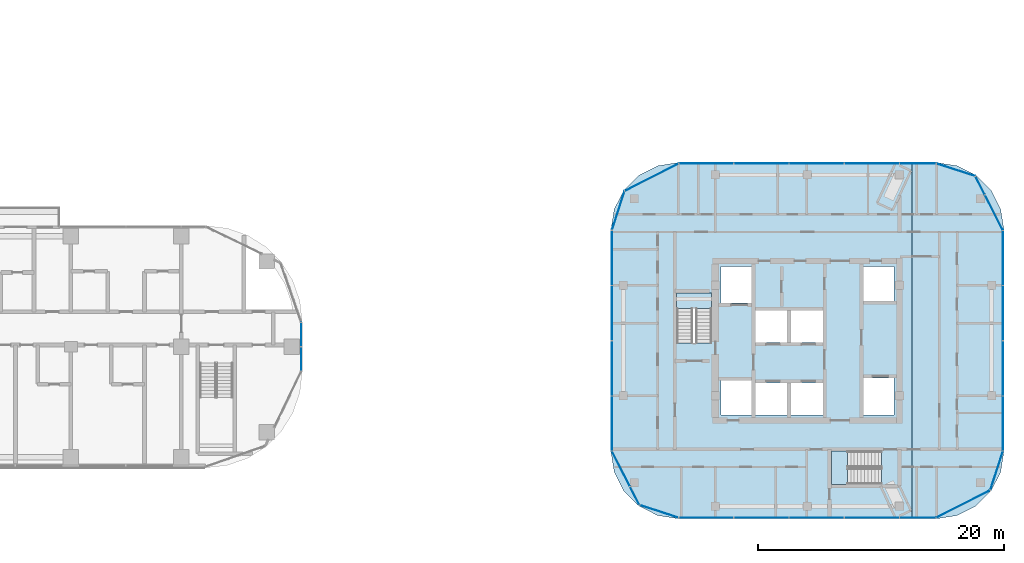
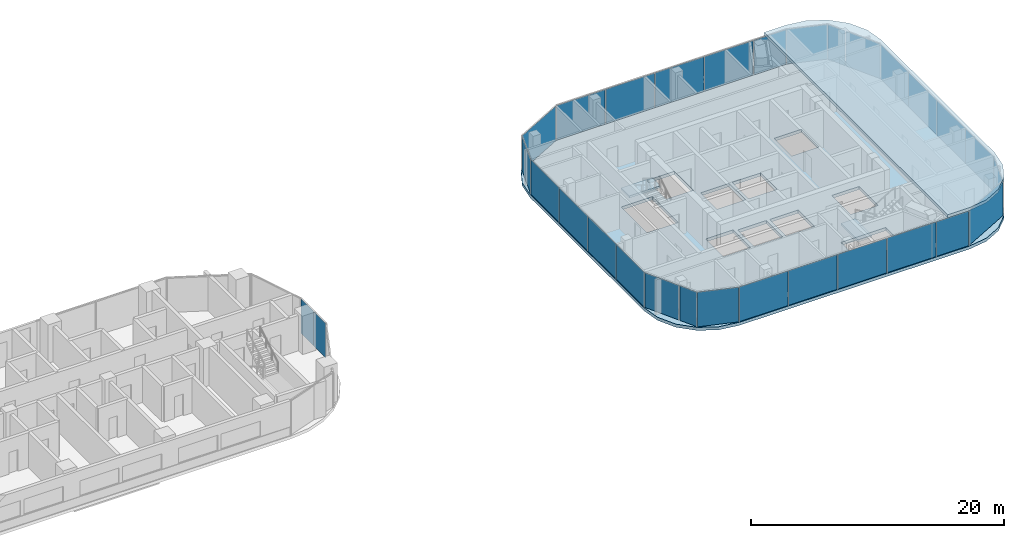
# One storey, part 17 of 35: 30 plates, 4 slabs, 13 elements without a shape of their own.
"""IFC4 building model written with IfcOpenShell, lengths in metres."""

from ifc_helpers import new_model, si_unit, direction, frame, origin, origin_2d, place, context, subcontext, project, spatial, polyline, rectangle, outline, extrude, material, layer, layer_set, type_object, element, aggregate, save


model = new_model("IFC4")

# Units and contexts
model_context = context("Model", 3, precision=1e-05, world=origin(), true_north=direction((0.0, 1.0)))
body_context = subcontext(model_context, "Body", "Model", "MODEL_VIEW")
ifc_project = project(units=[si_unit("LENGTHUNIT", "METRE"), si_unit("AREAUNIT", "SQUARE_METRE"), si_unit("VOLUMEUNIT", "CUBIC_METRE"), si_unit("PLANEANGLEUNIT", "RADIAN"), si_unit("MASSUNIT", "GRAM", prefix="KILO")], contexts=[model_context])

# Site, building, storey
site_placement = place(None, origin())
site = spatial("IfcSite", under=ifc_project, at=site_placement, CompositionType="ELEMENT")
building_placement = place(site_placement, origin())
building = spatial("IfcBuilding", under=site, at=building_placement, Name="Ogive Portal Towers", CompositionType="ELEMENT")
storey_placement = place(building_placement, frame((0.0, 0.0, 90.800048828125)))
storey = spatial("IfcBuildingStorey", under=building, at=storey_placement, Name="L21", CompositionType="ELEMENT", Elevation=90.800048828125)

# Curtain wall, plates
ifc_material_1 = material(Name="Glass, clear low-iron insulated glazing", Category="glass")
curtain_wall_type_1 = type_object("IfcCurtainWallType", Name="CW FRONT RIBBON 4500", PredefinedType="NOTDEFINED", material=ifc_material_1)
curtain_wall_1_placement = place(storey_placement, origin())
curtain_wall_1 = element("IfcCurtainWall", 1, at=curtain_wall_1_placement, inside=storey, type_object=curtain_wall_type_1, Name="A:L21:f08:cw0", PredefinedType="NOTDEFINED")
ifc_layer_1 = layer(ifc_material_1, 0.028076171875)
ifc_layer_set_1 = layer_set([ifc_layer_1], Name="CW PANEL IGU 28")
plate_type = type_object("IfcPlateType", Name="CW PANEL IGU 28", PredefinedType="CURTAIN_PANEL", material=ifc_layer_set_1)
plate_1_placement = place(storey_placement, frame((95.27490234375, 29.509033203125, 0.0), z_axis=(0.0, 0.0, 1.0), x_axis=(0.0, 1.0, 0.0)))
plate_1 = element("IfcPlate", 2, at=plate_1_placement, type_object=plate_type, Name="panel", PredefinedType="CURTAIN_PANEL", context=body_context, shape_type="SweptSolid", body=[
    extrude(rectangle(XDim=1.921630859375, YDim=0.028076171875, at=origin_2d()), origin(), (0.0, 0.0, 1.0), 3.340087890625),
])
plate_2_placement = place(storey_placement, frame((95.27490234375, 31.4931640625, 0.0), z_axis=(0.0, 0.0, 1.0), x_axis=(0.0, 1.0, 0.0)))
plate_2 = element("IfcPlate", 3, at=plate_2_placement, type_object=plate_type, Name="panel", PredefinedType="CURTAIN_PANEL", context=body_context, shape_type="SweptSolid", body=[
    extrude(rectangle(XDim=1.926513671875, YDim=0.028076171875, at=origin_2d()), origin(), (0.0, 0.0, 1.0), 3.340087890625),
])
aggregate(curtain_wall_1, [plate_1, plate_2])

curtain_wall_type_2 = type_object("IfcCurtainWallType", Name="CW RESIDENCES RIBBON", PredefinedType="NOTDEFINED", material=ifc_material_1)
curtain_wall_2_placement = place(storey_placement, origin())
curtain_wall_2 = element("IfcCurtainWall", 4, at=curtain_wall_2_placement, inside=storey, type_object=curtain_wall_type_2, Name="B:L21:f02:cw0", PredefinedType="NOTDEFINED")
plate_3_placement = place(storey_placement, frame((128.25634765625, 16.570068359375, 0.0), z_axis=(0.0, 0.0, 1.0), x_axis=(1.0, 0.0, 0.0)))
plate_3 = element("IfcPlate", 5, at=plate_3_placement, type_object=plate_type, Name="panel", PredefinedType="CURTAIN_PANEL", context=body_context, shape_type="SweptSolid", body=[
    extrude(rectangle(XDim=4.42724609375, YDim=0.028076171875, at=origin_2d()), origin(), (0.0, 0.0, 1.0), 3.340087890625),
])
plate_4_placement = place(storey_placement, frame((132.75, 16.570068359375, 0.0), z_axis=(0.0, 0.0, 1.0), x_axis=(1.0, 0.0, 0.0)))
plate_4 = element("IfcPlate", 6, at=plate_4_placement, type_object=plate_type, Name="panel", PredefinedType="CURTAIN_PANEL", context=body_context, shape_type="SweptSolid", body=[
    extrude(rectangle(XDim=4.43994140625, YDim=0.028076171875, at=origin_2d()), origin(), (0.0, 0.0, 1.0), 3.340087890625),
])
plate_5_placement = place(storey_placement, frame((137.25, 16.570068359375, 0.0), z_axis=(0.0, 0.0, 1.0), x_axis=(1.0, 0.0, 0.0)))
plate_5 = element("IfcPlate", 7, at=plate_5_placement, type_object=plate_type, Name="panel", PredefinedType="CURTAIN_PANEL", context=body_context, shape_type="SweptSolid", body=[
    extrude(rectangle(XDim=4.43994140625, YDim=0.028076171875, at=origin_2d()), origin(), (0.0, 0.0, 1.0), 3.340087890625),
])
plate_6_placement = place(storey_placement, frame((141.75, 16.570068359375, 0.0), z_axis=(0.0, 0.0, 1.0), x_axis=(1.0, 0.0, 0.0)))
plate_6 = element("IfcPlate", 8, at=plate_6_placement, type_object=plate_type, Name="panel", PredefinedType="CURTAIN_PANEL", context=body_context, shape_type="SweptSolid", body=[
    extrude(rectangle(XDim=4.43994140625, YDim=0.028076171875, at=origin_2d()), origin(), (0.0, 0.0, 1.0), 3.340087890625),
])
plate_7_placement = place(storey_placement, frame((145.490478515625, 16.570068359375, 0.0), z_axis=(0.0, 0.0, 1.0), x_axis=(1.0, 0.0, 0.0)))
plate_7 = element("IfcPlate", 9, at=plate_7_placement, type_object=plate_type, Name="panel", PredefinedType="CURTAIN_PANEL", context=body_context, shape_type="SweptSolid", body=[
    extrude(rectangle(XDim=2.9208984375, YDim=0.028076171875, at=origin_2d()), origin(), (0.0, 0.0, 1.0), 3.340087890625),
])
aggregate(curtain_wall_2, [plate_3, plate_4, plate_5, plate_6, plate_7])

curtain_wall_3_placement = place(storey_placement, origin())
curtain_wall_3 = element("IfcCurtainWall", 10, at=curtain_wall_3_placement, inside=storey, type_object=curtain_wall_type_2, Name="B:L21:f05:cw0", PredefinedType="NOTDEFINED")
plate_8_placement = place(storey_placement, frame((152.429931640625, 24.25634765625, 0.0), z_axis=(0.0, 0.0, 1.0), x_axis=(0.0, 1.0, 0.0)))
plate_8 = element("IfcPlate", 11, at=plate_8_placement, type_object=plate_type, Name="panel", PredefinedType="CURTAIN_PANEL", context=body_context, shape_type="SweptSolid", body=[
    extrude(rectangle(XDim=4.42724609375, YDim=0.028076171875, at=origin_2d()), origin(), (0.0, 0.0, 1.0), 3.340087890625),
])
plate_9_placement = place(storey_placement, frame((152.429931640625, 28.75, 0.0), z_axis=(0.0, 0.0, 1.0), x_axis=(0.0, 1.0, 0.0)))
plate_9 = element("IfcPlate", 12, at=plate_9_placement, type_object=plate_type, Name="panel", PredefinedType="CURTAIN_PANEL", context=body_context, shape_type="SweptSolid", body=[
    extrude(rectangle(XDim=4.43994140625, YDim=0.028076171875, at=origin_2d()), origin(), (0.0, 0.0, 1.0), 3.340087890625),
])
plate_10_placement = place(storey_placement, frame((152.429931640625, 33.25, 0.0), z_axis=(0.0, 0.0, 1.0), x_axis=(0.0, 1.0, 0.0)))
plate_10 = element("IfcPlate", 13, at=plate_10_placement, type_object=plate_type, Name="panel", PredefinedType="CURTAIN_PANEL", context=body_context, shape_type="SweptSolid", body=[
    extrude(rectangle(XDim=4.43994140625, YDim=0.028076171875, at=origin_2d()), origin(), (0.0, 0.0, 1.0), 3.340087890625),
])
plate_11_placement = place(storey_placement, frame((152.429931640625, 37.740478515625, 0.0), z_axis=(0.0, 0.0, 1.0), x_axis=(0.0, 1.0, 0.0)))
plate_11 = element("IfcPlate", 14, at=plate_11_placement, type_object=plate_type, Name="panel", PredefinedType="CURTAIN_PANEL", context=body_context, shape_type="SweptSolid", body=[
    extrude(rectangle(XDim=4.4208984375, YDim=0.028076171875, at=origin_2d()), origin(), (0.0, 0.0, 1.0), 3.340087890625),
])
aggregate(curtain_wall_3, [plate_8, plate_9, plate_10, plate_11])

curtain_wall_4_placement = place(storey_placement, origin())
curtain_wall_4 = element("IfcCurtainWall", 15, at=curtain_wall_4_placement, inside=storey, type_object=curtain_wall_type_2, Name="B:L21:f08:cw0", PredefinedType="NOTDEFINED")
plate_12_placement = place(storey_placement, frame((145.49365234375, 45.429931640625, 0.0), z_axis=(0.0, 0.0, 1.0), x_axis=(-1.0, 0.0, 0.0)))
plate_12 = element("IfcPlate", 16, at=plate_12_placement, type_object=plate_type, Name="panel", PredefinedType="CURTAIN_PANEL", context=body_context, shape_type="SweptSolid", body=[
    extrude(rectangle(XDim=2.92724609375, YDim=0.028076171875, at=origin_2d()), origin(), (0.0, 0.0, 1.0), 3.340087890625),
])
plate_13_placement = place(storey_placement, frame((141.75, 45.429931640625, 0.0), z_axis=(0.0, 0.0, 1.0), x_axis=(-1.0, 0.0, 0.0)))
plate_13 = element("IfcPlate", 17, at=plate_13_placement, type_object=plate_type, Name="panel", PredefinedType="CURTAIN_PANEL", context=body_context, shape_type="SweptSolid", body=[
    extrude(rectangle(XDim=4.43994140625, YDim=0.028076171875, at=origin_2d()), origin(), (0.0, 0.0, 1.0), 3.340087890625),
])
plate_14_placement = place(storey_placement, frame((137.25, 45.429931640625, 0.0), z_axis=(0.0, 0.0, 1.0), x_axis=(-1.0, 0.0, 0.0)))
plate_14 = element("IfcPlate", 18, at=plate_14_placement, type_object=plate_type, Name="panel", PredefinedType="CURTAIN_PANEL", context=body_context, shape_type="SweptSolid", body=[
    extrude(rectangle(XDim=4.43994140625, YDim=0.028076171875, at=origin_2d()), origin(), (0.0, 0.0, 1.0), 3.340087890625),
])
plate_15_placement = place(storey_placement, frame((132.75, 45.429931640625, 0.0), z_axis=(0.0, 0.0, 1.0), x_axis=(-1.0, 0.0, 0.0)))
plate_15 = element("IfcPlate", 19, at=plate_15_placement, type_object=plate_type, Name="panel", PredefinedType="CURTAIN_PANEL", context=body_context, shape_type="SweptSolid", body=[
    extrude(rectangle(XDim=4.43994140625, YDim=0.028076171875, at=origin_2d()), origin(), (0.0, 0.0, 1.0), 3.340087890625),
])
plate_16_placement = place(storey_placement, frame((128.259521484375, 45.429931640625, 0.0), z_axis=(0.0, 0.0, 1.0), x_axis=(-1.0, 0.0, 0.0)))
plate_16 = element("IfcPlate", 20, at=plate_16_placement, type_object=plate_type, Name="panel", PredefinedType="CURTAIN_PANEL", context=body_context, shape_type="SweptSolid", body=[
    extrude(rectangle(XDim=4.4208984375, YDim=0.028076171875, at=origin_2d()), origin(), (0.0, 0.0, 1.0), 3.340087890625),
])
aggregate(curtain_wall_4, [plate_12, plate_13, plate_14, plate_15, plate_16])

curtain_wall_5_placement = place(storey_placement, origin())
curtain_wall_5 = element("IfcCurtainWall", 21, at=curtain_wall_5_placement, inside=storey, type_object=curtain_wall_type_2, Name="B:L21:f11:cw0", PredefinedType="NOTDEFINED")
plate_17_placement = place(storey_placement, frame((120.570068359375, 37.74365234375, 0.0), z_axis=(0.0, 0.0, 1.0), x_axis=(0.0, -1.0, 0.0)))
plate_17 = element("IfcPlate", 22, at=plate_17_placement, type_object=plate_type, Name="panel", PredefinedType="CURTAIN_PANEL", context=body_context, shape_type="SweptSolid", body=[
    extrude(rectangle(XDim=4.42724609375, YDim=0.028076171875, at=origin_2d()), origin(), (0.0, 0.0, 1.0), 3.340087890625),
])
plate_18_placement = place(storey_placement, frame((120.570068359375, 33.25, 0.0), z_axis=(0.0, 0.0, 1.0), x_axis=(0.0, -1.0, 0.0)))
plate_18 = element("IfcPlate", 23, at=plate_18_placement, type_object=plate_type, Name="panel", PredefinedType="CURTAIN_PANEL", context=body_context, shape_type="SweptSolid", body=[
    extrude(rectangle(XDim=4.43994140625, YDim=0.028076171875, at=origin_2d()), origin(), (0.0, 0.0, 1.0), 3.340087890625),
])
plate_19_placement = place(storey_placement, frame((120.570068359375, 28.75, 0.0), z_axis=(0.0, 0.0, 1.0), x_axis=(0.0, -1.0, 0.0)))
plate_19 = element("IfcPlate", 24, at=plate_19_placement, type_object=plate_type, Name="panel", PredefinedType="CURTAIN_PANEL", context=body_context, shape_type="SweptSolid", body=[
    extrude(rectangle(XDim=4.43994140625, YDim=0.028076171875, at=origin_2d()), origin(), (0.0, 0.0, 1.0), 3.340087890625),
])
plate_20_placement = place(storey_placement, frame((120.570068359375, 24.259521484375, 0.0), z_axis=(0.0, 0.0, 1.0), x_axis=(0.0, -1.0, 0.0)))
plate_20 = element("IfcPlate", 25, at=plate_20_placement, type_object=plate_type, Name="panel", PredefinedType="CURTAIN_PANEL", context=body_context, shape_type="SweptSolid", body=[
    extrude(rectangle(XDim=4.4208984375, YDim=0.028076171875, at=origin_2d()), origin(), (0.0, 0.0, 1.0), 3.340087890625),
])
aggregate(curtain_wall_5, [plate_17, plate_18, plate_19, plate_20])

# Curtain wall, plate
curtain_wall_6_placement = place(storey_placement, origin())
curtain_wall_6 = element("IfcCurtainWall", 26, at=curtain_wall_6_placement, inside=storey, type_object=curtain_wall_type_2, Name="B:L21:f00:cwa~0", PredefinedType="NOTDEFINED")
plate_21_placement = place(storey_placement, frame((121.310546875, 20.56591796875, 0.0), z_axis=(0.0, 0.0, 1.0), x_axis=(0.45399049974, -0.891006524188, 0.0)))
plate_21 = element("IfcPlate", 27, at=plate_21_placement, type_object=plate_type, Name="panel", PredefinedType="CURTAIN_PANEL", context=body_context, shape_type="SweptSolid", body=[
    extrude(rectangle(XDim=3.2021484375, YDim=0.028076171875, at=origin_2d()), origin(), (0.0, 0.0, 1.0), 3.340087890625),
])
aggregate(curtain_wall_6, [plate_21])

# Curtain wall, plates
curtain_wall_7_placement = place(storey_placement, origin())
curtain_wall_7 = element("IfcCurtainWall", 28, at=curtain_wall_7_placement, inside=storey, type_object=curtain_wall_type_2, Name="B:L21:f00:cwa~1", PredefinedType="NOTDEFINED")
plate_22_placement = place(storey_placement, frame((122.439453125, 18.35009765625, 0.0), z_axis=(0.0, 0.0, 1.0), x_axis=(0.45399049974, -0.891006524188, 0.0)))
plate_22 = element("IfcPlate", 29, at=plate_22_placement, type_object=plate_type, Name="panel", PredefinedType="CURTAIN_PANEL", context=body_context, shape_type="SweptSolid", body=[
    extrude(rectangle(XDim=1.60546875, YDim=0.028076171875, at=origin_2d()), origin(), (0.0, 0.0, 1.0), 3.340087890625),
])
plate_23_placement = place(storey_placement, frame((124.4150390625, 17.089111328125, 0.0), z_axis=(0.0, 0.0, 1.0), x_axis=(0.951056516295, -0.309016994375, 0.0)))
plate_23 = element("IfcPlate", 30, at=plate_23_placement, type_object=plate_type, Name="panel", PredefinedType="CURTAIN_PANEL", context=body_context, shape_type="SweptSolid", body=[
    extrude(rectangle(XDim=3.299560546875, YDim=0.028076171875, at=origin_2d()), origin(), (0.0, 0.0, 1.0), 3.340087890625),
])
aggregate(curtain_wall_7, [plate_22, plate_23])

curtain_wall_8_placement = place(storey_placement, origin())
curtain_wall_8 = element("IfcCurtainWall", 31, at=curtain_wall_8_placement, inside=storey, type_object=curtain_wall_type_2, Name="B:L21:f03:cwa", PredefinedType="NOTDEFINED")
plate_24_placement = place(storey_placement, frame((149.186279296875, 17.69384765625, 0.0), z_axis=(0.0, 0.0, 1.0), x_axis=(0.891006524188, 0.45399049974, 0.0)))
plate_24 = element("IfcPlate", 32, at=plate_24_placement, type_object=plate_type, Name="panel", PredefinedType="CURTAIN_PANEL", context=body_context, shape_type="SweptSolid", body=[
    extrude(rectangle(XDim=4.890625, YDim=0.028076171875, at=origin_2d()), origin(), (0.0, 0.0, 1.0), 3.340087890625),
])
plate_25_placement = place(storey_placement, frame((151.910888671875, 20.4150390625, 0.0), z_axis=(0.0, 0.0, 1.0), x_axis=(0.309016994375, 0.951056516295, 0.0)))
plate_25 = element("IfcPlate", 33, at=plate_25_placement, type_object=plate_type, Name="panel", PredefinedType="CURTAIN_PANEL", context=body_context, shape_type="SweptSolid", body=[
    extrude(rectangle(XDim=3.299560546875, YDim=0.028076171875, at=origin_2d()), origin(), (0.0, 0.0, 1.0), 3.340087890625),
])
aggregate(curtain_wall_8, [plate_24, plate_25])

# Curtain wall, plate
curtain_wall_9_placement = place(storey_placement, origin())
curtain_wall_9 = element("IfcCurtainWall", 34, at=curtain_wall_9_placement, inside=storey, type_object=curtain_wall_type_2, Name="B:L21:f06:cwa~0", PredefinedType="NOTDEFINED")
plate_26_placement = place(storey_placement, frame((151.689453125, 41.43408203125, 0.0), z_axis=(0.0, 0.0, 1.0), x_axis=(-0.45399049974, 0.891006524188, 0.0)))
plate_26 = element("IfcPlate", 35, at=plate_26_placement, type_object=plate_type, Name="panel", PredefinedType="CURTAIN_PANEL", context=body_context, shape_type="SweptSolid", body=[
    extrude(rectangle(XDim=3.2021484375, YDim=0.028076171875, at=origin_2d()), origin(), (0.0, 0.0, 1.0), 3.340087890625),
])
aggregate(curtain_wall_9, [plate_26])

# Curtain wall, plates
curtain_wall_10_placement = place(storey_placement, origin())
curtain_wall_10 = element("IfcCurtainWall", 36, at=curtain_wall_10_placement, inside=storey, type_object=curtain_wall_type_2, Name="B:L21:f06:cwa~1", PredefinedType="NOTDEFINED")
plate_27_placement = place(storey_placement, frame((150.560546875, 43.64990234375, 0.0), z_axis=(0.0, 0.0, 1.0), x_axis=(-0.45399049974, 0.891006524188, 0.0)))
plate_27 = element("IfcPlate", 37, at=plate_27_placement, type_object=plate_type, Name="panel", PredefinedType="CURTAIN_PANEL", context=body_context, shape_type="SweptSolid", body=[
    extrude(rectangle(XDim=1.60546875, YDim=0.028076171875, at=origin_2d()), origin(), (0.0, 0.0, 1.0), 3.340087890625),
])
plate_28_placement = place(storey_placement, frame((148.5849609375, 44.910888671875, 0.0), z_axis=(0.0, 0.0, 1.0), x_axis=(-0.951056516295, 0.309016994375, 0.0)))
plate_28 = element("IfcPlate", 38, at=plate_28_placement, type_object=plate_type, Name="panel", PredefinedType="CURTAIN_PANEL", context=body_context, shape_type="SweptSolid", body=[
    extrude(rectangle(XDim=3.299560546875, YDim=0.028076171875, at=origin_2d()), origin(), (0.0, 0.0, 1.0), 3.340087890625),
])
aggregate(curtain_wall_10, [plate_27, plate_28])

curtain_wall_11_placement = place(storey_placement, origin())
curtain_wall_11 = element("IfcCurtainWall", 39, at=curtain_wall_11_placement, inside=storey, type_object=curtain_wall_type_2, Name="B:L21:f09:cwa", PredefinedType="NOTDEFINED")
plate_29_placement = place(storey_placement, frame((123.813720703125, 44.30615234375, 0.0), z_axis=(0.0, 0.0, 1.0), x_axis=(-0.891006524188, -0.45399049974, 0.0)))
plate_29 = element("IfcPlate", 40, at=plate_29_placement, type_object=plate_type, Name="panel", PredefinedType="CURTAIN_PANEL", context=body_context, shape_type="SweptSolid", body=[
    extrude(rectangle(XDim=4.890625, YDim=0.028076171875, at=origin_2d()), origin(), (0.0, 0.0, 1.0), 3.340087890625),
])
plate_30_placement = place(storey_placement, frame((121.089111328125, 41.5849609375, 0.0), z_axis=(0.0, 0.0, 1.0), x_axis=(-0.309016994375, -0.951056516295, 0.0)))
plate_30 = element("IfcPlate", 41, at=plate_30_placement, type_object=plate_type, Name="panel", PredefinedType="CURTAIN_PANEL", context=body_context, shape_type="SweptSolid", body=[
    extrude(rectangle(XDim=3.299560546875, YDim=0.028076171875, at=origin_2d()), origin(), (0.0, 0.0, 1.0), 3.340087890625),
])
aggregate(curtain_wall_11, [plate_29, plate_30])

# Stair, slab
ifc_material_2 = material(Name="Concrete C40/50", Category="concrete")
stair_type = type_object("IfcStairType", Name="INT-STAIR", PredefinedType="HALF_TURN_STAIR", material=ifc_material_2)
stair_1_placement = place(storey_placement, origin())
stair_1 = element("IfcStair", 42, at=stair_1_placement, inside=storey, type_object=stair_type, Name="L21 Exit Stair ST-B1", PredefinedType="HALF_TURN_STAIR")
ifc_layer_2 = layer(ifc_material_2, 0.199951171875)
ifc_layer_set_2 = layer_set([ifc_layer_2], Name="INT-LANDING")
slab_type_1 = type_object("IfcSlabType", Name="INT-LANDING", PredefinedType="LANDING", material=ifc_layer_set_2)
slab_1_placement = place(storey_placement, frame((0.0, 0.0, 1.64990234375)))
slab_1 = element("IfcSlab", 43, at=slab_1_placement, type_object=slab_type_1, Name="ST-B1 landing 1", PredefinedType="LANDING", context=body_context, shape_type="SweptSolid", body=[
    extrude(outline(polyline([(128.699951171875, 33.60009765625), (128.699951171875, 34.89990234375), (125.85009765625, 34.89990234375), (125.85009765625, 33.60009765625), (128.699951171875, 33.60009765625)])), origin(), (0.0, 0.0, 1.0), 0.199951171875),
])
aggregate(stair_1, [slab_1])

stair_2_placement = place(storey_placement, origin())
stair_2 = element("IfcStair", 44, at=stair_2_placement, inside=storey, type_object=stair_type, Name="L21 Exit Stair ST-B2", PredefinedType="HALF_TURN_STAIR")
slab_2_placement = place(storey_placement, frame((0.0, 0.0, 1.64990234375)))
slab_2 = element("IfcSlab", 45, at=slab_2_placement, type_object=slab_type_1, Name="ST-B2 landing 1", PredefinedType="LANDING", context=body_context, shape_type="SweptSolid", body=[
    extrude(outline(polyline([(139.75, 22.0), (138.449951171875, 22.0), (138.449951171875, 19.300048828125), (139.75, 19.300048828125), (139.75, 22.0)])), origin(), (0.0, 0.0, 1.0), 0.199951171875),
])
aggregate(stair_2, [slab_2])

# Slabs
ifc_material_3 = material(Name="Concrete C45/55", Category="concrete")
ifc_layer_3 = layer(ifc_material_3, 0.300048828125)
ifc_layer_set_3 = layer_set([ifc_layer_3], Name="PT FLAT PLATE 300")
slab_type_2 = type_object("IfcSlabType", Name="PT FLAT PLATE 300", PredefinedType="FLOOR", material=ifc_layer_set_3)
slab_3_placement = place(storey_placement, frame((0.0, 0.0, -0.300048828125)))
element("IfcSlab", 46, at=slab_3_placement, inside=storey, type_object=slab_type_2, Name="Floor slab L21", PredefinedType="FLOOR", context=body_context, shape_type="SweptSolid", body=[
    extrude(outline(polyline([(120.489990234375, 40.0), (120.489990234375, 22.0), (120.759765625, 20.29736328125), (121.542236328125, 18.76123046875), (122.76123046875, 17.542236328125), (124.29736328125, 16.759765625), (126.0, 16.489990234375), (147.0, 16.489990234375), (148.70263671875, 16.759765625), (150.23876953125, 17.542236328125), (151.457763671875, 18.76123046875), (152.240234375, 20.29736328125), (152.510009765625, 22.0), (152.510009765625, 40.0), (152.240234375, 41.70263671875), (151.457763671875, 43.23876953125), (150.23876953125, 44.457763671875), (148.70263671875, 45.240234375), (147.0, 45.510009765625), (126.0, 45.510009765625), (124.29736328125, 45.240234375), (122.76123046875, 44.457763671875), (121.542236328125, 43.23876953125), (120.759765625, 41.70263671875), (120.489990234375, 40.0)]), holes=[polyline([(131.949951171875, 27.75), (131.949951171875, 24.949951171875), (129.449951171875, 24.949951171875), (129.449951171875, 27.75), (131.949951171875, 27.75)]), polyline([(128.697998046875, 34.89794921875), (128.697998046875, 30.802001953125), (125.85205078125, 30.802001953125), (125.85205078125, 34.89794921875), (128.697998046875, 34.89794921875)]), polyline([(131.949951171875, 37.050048828125), (131.949951171875, 34.050048828125), (129.449951171875, 34.050048828125), (129.449951171875, 37.050048828125), (131.949951171875, 37.050048828125)]), polyline([(138.451904296875, 21.998046875), (142.548095703125, 21.998046875), (142.548095703125, 19.302001953125), (138.451904296875, 19.302001953125), (138.451904296875, 21.998046875)]), polyline([(134.85009765625, 27.550048828125), (134.85009765625, 24.949951171875), (132.25, 24.949951171875), (132.25, 27.550048828125), (134.85009765625, 27.550048828125)]), polyline([(137.75, 27.550048828125), (137.75, 24.949951171875), (135.14990234375, 24.949951171875), (135.14990234375, 27.550048828125), (137.75, 27.550048828125)]), polyline([(143.550048828125, 27.949951171875), (143.550048828125, 24.949951171875), (141.050048828125, 24.949951171875), (141.050048828125, 27.949951171875), (143.550048828125, 27.949951171875)]), polyline([(134.85009765625, 33.449951171875), (134.85009765625, 30.85009765625), (132.25, 30.85009765625), (132.25, 33.449951171875), (134.85009765625, 33.449951171875)]), polyline([(137.75, 33.449951171875), (137.75, 30.85009765625), (135.14990234375, 30.85009765625), (135.14990234375, 33.449951171875), (137.75, 33.449951171875)]), polyline([(141.050048828125, 37.050048828125), (143.550048828125, 37.050048828125), (143.550048828125, 34.25), (141.050048828125, 34.25), (141.050048828125, 37.050048828125)])]), origin(), (0.0, 0.0, 1.0), 0.300048828125),
])
ifc_layer_4 = layer(ifc_material_3, 0.300048828125)
ifc_layer_set_4 = layer_set([ifc_layer_4], Name="PT ROOF SLAB 300")
slab_type_3 = type_object("IfcSlabType", Name="PT ROOF SLAB 300", PredefinedType="ROOF", material=ifc_layer_set_4)
slab_4_placement = place(storey_placement, frame((0.0, 0.0, 3.39990234375)))
element("IfcSlab", 47, at=slab_4_placement, inside=storey, type_object=slab_type_3, Name="Tower B terrace slab", PredefinedType="ROOF", context=body_context, shape_type="SweptSolid", body=[
    extrude(outline(polyline([(148.70263671875, 45.240234375), (147.0, 45.510009765625), (145.010009765625, 45.510009765625), (145.010009765625, 16.489990234375), (147.0, 16.489990234375), (148.70263671875, 16.759765625), (150.23876953125, 17.542236328125), (151.457763671875, 18.76123046875), (152.240234375, 20.29736328125), (152.510009765625, 22.0), (152.510009765625, 40.0), (152.240234375, 41.70263671875), (151.457763671875, 43.23876953125), (150.23876953125, 44.457763671875), (148.70263671875, 45.240234375)])), origin(), (0.0, 0.0, 1.0), 0.300048828125),
])

save(model, "model.ifc")
